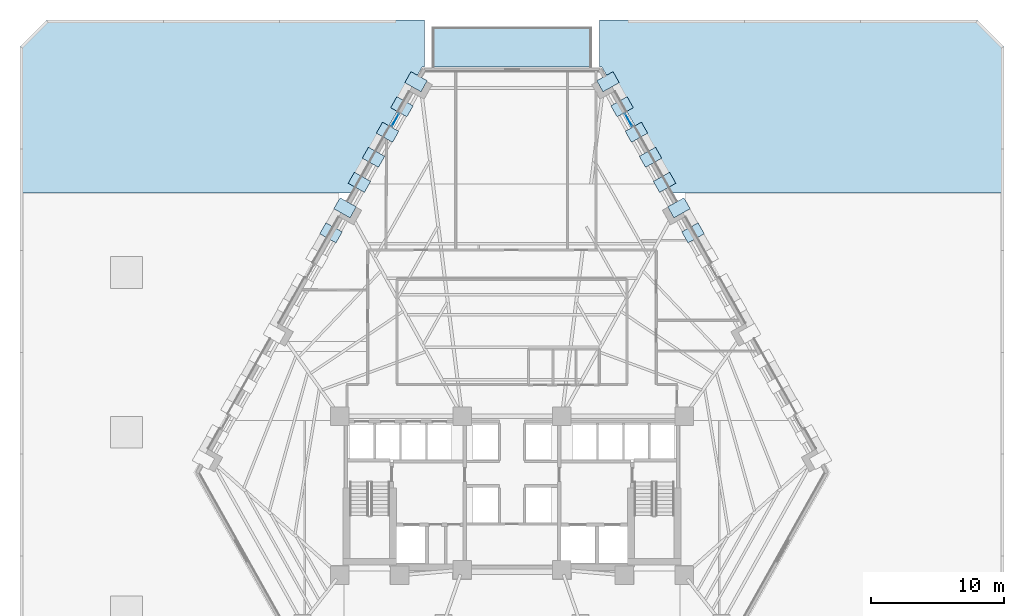
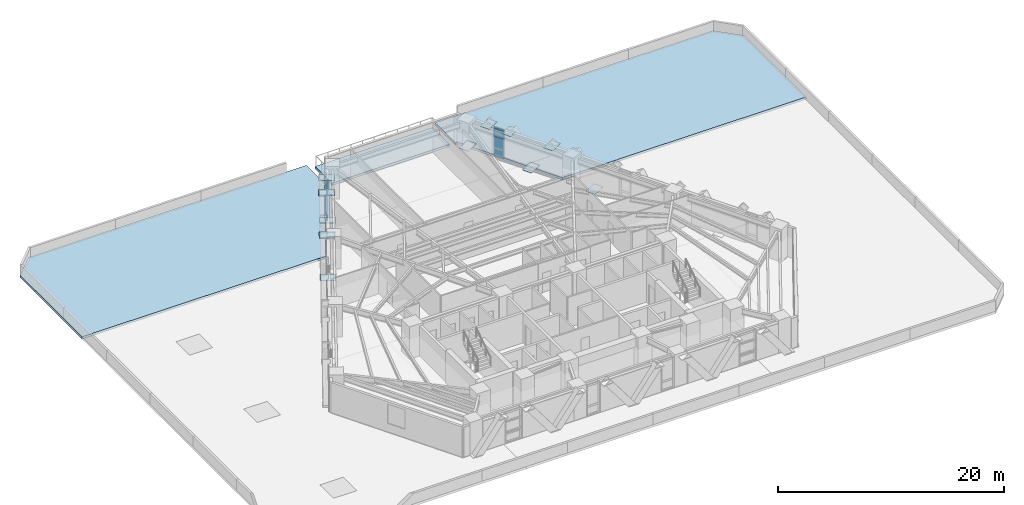
# One storey, part 7 of 14: 18 plates, 3 slabs, 2 elements without a shape of their own.
"""IFC4 building model written with IfcOpenShell, lengths in metres."""

from ifc_helpers import new_model, si_unit, direction, frame, origin, origin_2d, place, context, subcontext, project, spatial, polyline, rectangle, outline, extrude, material, layer, layer_set, type_object, element, aggregate, save


model = new_model("IFC4")

# Units and contexts
model_context = context("Model", 3, precision=1e-05, world=origin(), true_north=direction((0.0, 1.0)))
body_context = subcontext(model_context, "Body", "Model", "MODEL_VIEW")
ifc_project = project(units=[si_unit("LENGTHUNIT", "METRE"), si_unit("AREAUNIT", "SQUARE_METRE"), si_unit("VOLUMEUNIT", "CUBIC_METRE"), si_unit("PLANEANGLEUNIT", "RADIAN"), si_unit("MASSUNIT", "GRAM", prefix="KILO")], contexts=[model_context])

# Site, building, storey
site_placement = place(None, origin())
site = spatial("IfcSite", under=ifc_project, at=site_placement, CompositionType="ELEMENT")
building_placement = place(site_placement, origin())
building = spatial("IfcBuilding", under=site, at=building_placement, Name="Quenlor Broadcast Tower", CompositionType="ELEMENT")
storey_placement = place(building_placement, frame((0.0, 0.0, 27.60009765625)))
storey = spatial("IfcBuildingStorey", under=building, at=storey_placement, Name="L06", CompositionType="ELEMENT", Elevation=27.60009765625)

# Curtain wall, plates
ifc_material_1 = material(Name="Architectural Terracotta and Low-E Glazing", Category="masonry")
curtain_wall_type = type_object("IfcCurtainWallType", Name="Unitised Terracotta Curtain Wall System Z1", PredefinedType="NOTDEFINED", material=ifc_material_1)
curtain_wall_1_placement = place(storey_placement, origin())
curtain_wall_1 = element("IfcCurtainWall", 1, at=curtain_wall_1_placement, inside=storey, type_object=curtain_wall_type, Name="L06 Curtain Wall CW1 (L06-NEA-G1)", PredefinedType="NOTDEFINED")
ifc_material_2 = material(Name="Double Glazed Low-E Solar Glass", Category="glass")
ifc_layer_1 = layer(ifc_material_2, 0.031982421875)
ifc_layer_set_1 = layer_set([ifc_layer_1], Name="CW1 Double Glazed Vision Panel 32")
plate_type_1 = type_object("IfcPlateType", Name="CW1 Double Glazed Vision Panel 32", PredefinedType="CURTAIN_PANEL", material=ifc_layer_set_1)
plate_1_placement = place(storey_placement, frame((8.766845703125, 17.48779296875, 0.079833984375), z_axis=(0.0, 0.0, 1.0), x_axis=(0.490276943553, -0.871566703483, 0.0)))
plate_1 = element("IfcPlate", 2, at=plate_1_placement, type_object=plate_type_1, Name="CW1 panel 1.1", PredefinedType="CURTAIN_PANEL", context=body_context, shape_type="SweptSolid", body=[
    extrude(rectangle(XDim=1.04931640625, YDim=0.031982421875, at=origin_2d()), origin(), (0.0, 0.0, 1.0), 0.830078125),
])
plate_2_placement = place(storey_placement, frame((8.766845703125, 17.48779296875, 0.98974609375), z_axis=(0.0, 0.0, 1.0), x_axis=(0.490276943553, -0.871566703483, 0.0)))
plate_2 = element("IfcPlate", 3, at=plate_2_placement, type_object=plate_type_1, Name="CW1 panel 1.2", PredefinedType="CURTAIN_PANEL", context=body_context, shape_type="SweptSolid", body=[
    extrude(rectangle(XDim=1.04931640625, YDim=0.031982421875, at=origin_2d()), origin(), (0.0, 0.0, 1.0), 2.179931640625),
])
aggregate(curtain_wall_1, [plate_1, plate_2])

curtain_wall_2_placement = place(storey_placement, origin())
curtain_wall_2 = element("IfcCurtainWall", 4, at=curtain_wall_2_placement, inside=storey, type_object=curtain_wall_type, Name="L06 Curtain Wall CW1 (L06-NWC-G1)", PredefinedType="NOTDEFINED")
plate_3_placement = place(storey_placement, frame((-8.766845703125, 17.48779296875, 0.079833984375), z_axis=(0.0, 0.0, 1.0), x_axis=(0.490276943553, 0.871566703483, 0.0)))
plate_3 = element("IfcPlate", 5, at=plate_3_placement, type_object=plate_type_1, Name="CW1 panel 1.1", PredefinedType="CURTAIN_PANEL", context=body_context, shape_type="SweptSolid", body=[
    extrude(rectangle(XDim=1.04931640625, YDim=0.031982421875, at=origin_2d()), origin(), (0.0, 0.0, 1.0), 0.830078125),
])
plate_4_placement = place(storey_placement, frame((-8.766845703125, 17.48779296875, 0.98974609375), z_axis=(0.0, 0.0, 1.0), x_axis=(0.490276943553, 0.871566703483, 0.0)))
plate_4 = element("IfcPlate", 6, at=plate_4_placement, type_object=plate_type_1, Name="CW1 panel 1.2", PredefinedType="CURTAIN_PANEL", context=body_context, shape_type="SweptSolid", body=[
    extrude(rectangle(XDim=1.04931640625, YDim=0.031982421875, at=origin_2d()), origin(), (0.0, 0.0, 1.0), 2.179931640625),
])
aggregate(curtain_wall_2, [plate_3, plate_4])

# Slabs
ifc_material_3 = material(Name="Concrete C40/50", Category="concrete")
ifc_layer_2 = layer(ifc_material_3, 0.25)
ifc_layer_set_2 = layer_set([ifc_layer_2], Name="Podium Main Weatherproof Concrete C40/50 Roof Slab 250")
slab_type_1 = type_object("IfcSlabType", Name="Podium Main Weatherproof Concrete C40/50 Roof Slab 250", PredefinedType="ROOF", material=ifc_layer_set_2)
slab_1_placement = place(storey_placement, frame((0.0, 0.0, -0.25)))
element("IfcSlab", 7, at=slab_1_placement, inside=storey, type_object=slab_type_1, Name="L06 Setback Weatherproof Roof Slab 4", PredefinedType="ROOF", context=body_context, shape_type="SweptSolid", body=[
    extrude(outline(polyline([(37.0, 23.0), (37.0, 12.0), (12.08349609375, 12.0), (6.75537109375, 21.471923828125), (6.580078125, 21.471923828125), (6.580078125, 25.0), (35.0, 25.0), (37.0, 23.0)])), origin(), (0.0, 0.0, 1.0), 0.25),
])
slab_2_placement = place(storey_placement, frame((0.0, 0.0, -0.25)))
element("IfcSlab", 8, at=slab_2_placement, inside=storey, type_object=slab_type_1, Name="L06 Setback Weatherproof Roof Slab 5", PredefinedType="ROOF", context=body_context, shape_type="SweptSolid", body=[
    extrude(outline(polyline([(-37.0, 23.0), (-35.0, 25.0), (-6.580078125, 25.0), (-6.580078125, 21.471923828125), (-6.75537109375, 21.471923828125), (-12.08349609375, 12.0), (-37.0, 12.0), (-37.0, 23.0)])), origin(), (0.0, 0.0, 1.0), 0.25),
])
ifc_material_4 = material(Name="Concrete C40/50", Category="concrete")
ifc_layer_3 = layer(ifc_material_4, 0.260009765625)
ifc_layer_set_3 = layer_set([ifc_layer_3], Name="Podium Roof Garden Concrete C40/50 Terrace Slab 260")
slab_type_2 = type_object("IfcSlabType", Name="Podium Roof Garden Concrete C40/50 Terrace Slab 260", PredefinedType="FLOOR", material=ifc_layer_set_3)
slab_3_placement = place(storey_placement, frame((0.0, 0.0, -0.260009765625)))
element("IfcSlab", 9, at=slab_3_placement, inside=storey, type_object=slab_type_2, Name="L06 Outdoor Setback Terrace Slab", PredefinedType="FLOOR", context=body_context, shape_type="SweptSolid", body=[
    extrude(outline(polyline([(-6.0, 21.47998046875), (6.0, 21.47998046875), (6.0, 24.47998046875), (-6.0, 24.47998046875), (-6.0, 21.47998046875)])), origin(), (0.0, 0.0, 1.0), 0.260009765625),
])

# Plates
ifc_material_5 = material(Name="Steel S355", Category="steel")
ifc_layer_4 = layer(ifc_material_5, 0.035888671875)
ifc_layer_set_4 = layer_set([ifc_layer_4], Name="Transfer Truss Steel S355 Gusset Node Plate 1400x950x36")
plate_type_2 = type_object("IfcPlateType", Name="Transfer Truss Steel S355 Gusset Node Plate 1400x950x36", PredefinedType="SHEET", material=ifc_layer_set_4)
for number, where, z_axis, x_axis, name in (
    (10, (7.220947265625, 20.35888671875, 0.0419921875), (0.0, 0.0, 1.0), (0.871556314255, 0.490295412055, 0.0), "L06 Lattice Tie Gusset Node NE-B0"),
    (11, (8.280029296875, 18.475830078125, 3.18212890625), (0.0, 0.0, 1.0), (0.871556314255, 0.490295412055, 0.0), "L06 Lattice Tie Gusset Node NE-T1"),
    (12, (10.41748046875, 14.67578125, 0.0419921875), (0.0, 0.0, 1.0), (0.871556314255, 0.490295412055, 0.0), "L06 Lattice Tie Gusset Node NE-B3"),
    (13, (9.3583984375, 16.558837890625, 3.18212890625), (0.0, 0.0, 1.0), (0.871556314255, 0.490295412055, 0.0), "L06 Lattice Tie Gusset Node NE-T2"),
    (14, (11.476806640625, 12.792724609375, 3.18212890625), (0.0, 0.0, 1.0), (0.871556314255, 0.490295412055, 0.0), "L06 Lattice Tie Gusset Node NE-T4"),
    (15, (13.614501953125, 8.99267578125, 0.0419921875), (0.0, 0.0, 1.0), (0.871556314255, 0.490295412055, 0.0), "L06 Lattice Tie Gusset Node NE-B6"),
    (16, (12.55517578125, 10.87548828125, 3.18212890625), (0.0, 0.0, 1.0), (0.871556314255, 0.490295412055, 0.0), "L06 Lattice Tie Gusset Node NE-T5"),
    (17, (-13.614501953125, 8.99267578125, 0.0419921875), (0.0, 0.0, 1.0), (-0.871556314255, 0.490295412055, 0.0), "L06 Lattice Tie Gusset Node NW-B9"),
    (18, (-12.55517578125, 10.87548828125, 3.18212890625), (0.0, 0.0, 1.0), (-0.871556314255, 0.490295412055, 0.0), "L06 Lattice Tie Gusset Node NW-T10"),
    (19, (-10.41748046875, 14.67578125, 0.0419921875), (0.0, 0.0, 1.0), (-0.871556314255, 0.490295412055, 0.0), "L06 Lattice Tie Gusset Node NW-B12"),
    (20, (-11.476806640625, 12.792724609375, 3.18212890625), (0.0, 0.0, 1.0), (-0.871556314255, 0.490295412055, 0.0), "L06 Lattice Tie Gusset Node NW-T11"),
    (21, (-9.3583984375, 16.558837890625, 3.18212890625), (0.0, 0.0, 1.0), (-0.871556314255, 0.490295412055, 0.0), "L06 Lattice Tie Gusset Node NW-T13"),
    (22, (-7.220947265625, 20.35888671875, 0.0419921875), (0.0, 0.0, 1.0), (-0.871556314255, 0.490295412055, 0.0), "L06 Lattice Tie Gusset Node NW-B15"),
    (23, (-8.280029296875, 18.475830078125, 3.18212890625), (0.0, 0.0, 1.0), (-0.871556314255, 0.490295412055, 0.0), "L06 Lattice Tie Gusset Node NW-T14"),
):
    element("IfcPlate", number, at=place(storey_placement, frame(where, z_axis=z_axis, x_axis=x_axis)), inside=storey, type_object=plate_type_2, Name=name, PredefinedType="SHEET", context=body_context, shape_type="SweptSolid", body=[
        extrude(rectangle(XDim=1.39990234375, YDim=0.949951171875, at=origin_2d()), origin(), (0.0, 0.0, 1.0), 0.035888671875),
    ])

save(model, "model.ifc")
